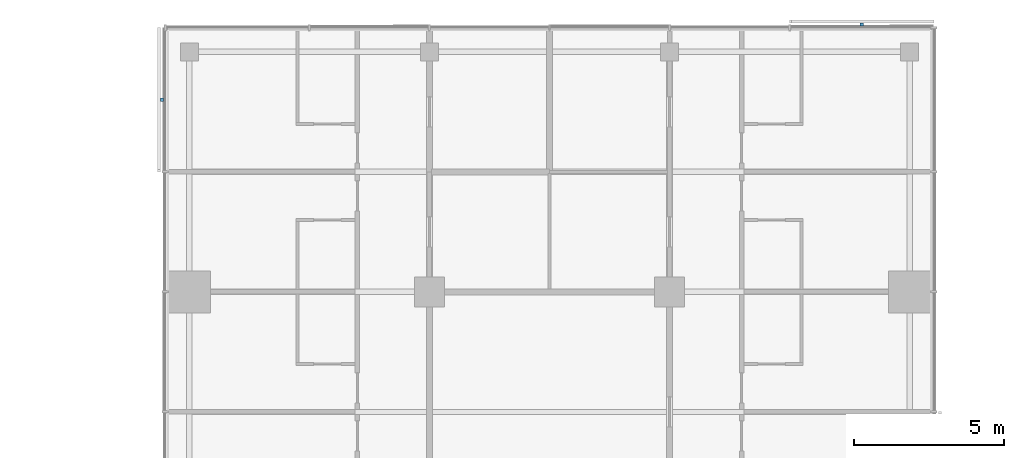
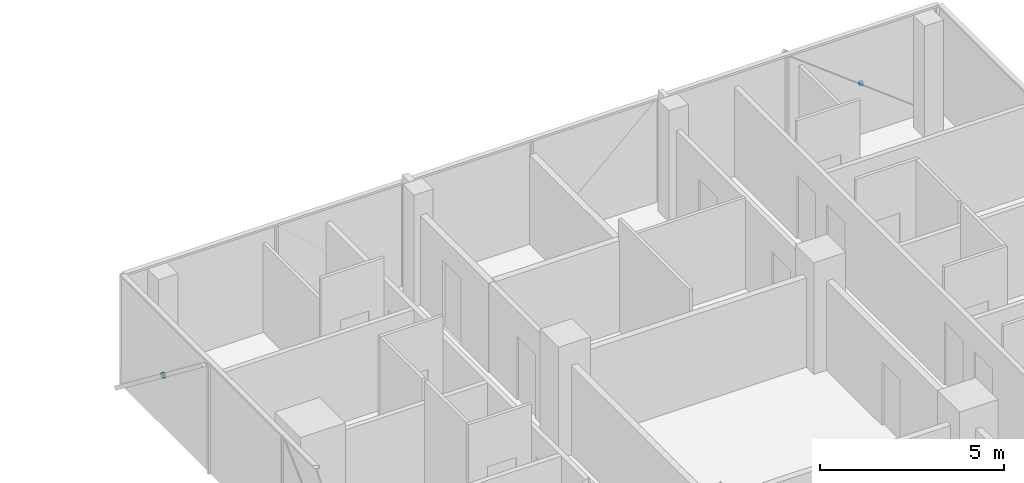
# One storey, part 28 of 29: 2 discrete accessories.
"""IFC4 building model written with IfcOpenShell, lengths in metres."""

from ifc_helpers import new_model, si_unit, direction, frame, origin, origin_2d, place, context, subcontext, project, spatial, rectangle, extrude, material, type_object, element, save


model = new_model("IFC4")

# Units and contexts
model_context = context("Model", 3, precision=1e-05, world=origin(), true_north=direction((0.0, 1.0)))
body_context = subcontext(model_context, "Body", "Model", "MODEL_VIEW")
ifc_project = project(units=[si_unit("LENGTHUNIT", "METRE"), si_unit("AREAUNIT", "SQUARE_METRE"), si_unit("VOLUMEUNIT", "CUBIC_METRE"), si_unit("PLANEANGLEUNIT", "RADIAN"), si_unit("MASSUNIT", "GRAM", prefix="KILO")], contexts=[model_context])

# Site, building, storey
site_placement = place(None, origin())
site = spatial("IfcSite", under=ifc_project, at=site_placement, CompositionType="ELEMENT")
building_placement = place(site_placement, origin())
building = spatial("IfcBuilding", under=site, at=building_placement, Name="Crosswind Convention Tower", CompositionType="ELEMENT")
storey_placement = place(building_placement, frame((0.0, 0.0, 60.89990234375)))
storey = spatial("IfcBuildingStorey", under=building, at=storey_placement, Name="L09", CompositionType="ELEMENT", Elevation=60.89990234375)

# Discrete accessories
ifc_material = material(Name="Stainless steel", Category="steel")
discrete_accessory_type = type_object("IfcDiscreteAccessoryType", Name="BAGUETTE BRACKET BK2", PredefinedType="BRACKET", material=ifc_material)
for number, where, z_axis, x_axis, name in (
    (1, (135.39990234375, 136.907958984375, 1.4775390625), (0.0, 0.0, 1.0), (-1.0, 0.0, 0.0), "BK2 baguette bracket"),
    (2, (112.092041015625, 134.39990234375, 1.4775390625), (0.0, 0.0, 1.0), (0.0, -1.0, 0.0), "BK2 baguette bracket"),
):
    element("IfcDiscreteAccessory", number, at=place(storey_placement, frame(where, z_axis=z_axis, x_axis=x_axis)), inside=storey, type_object=discrete_accessory_type, Name=name, PredefinedType="BRACKET", context=body_context, shape_type="SweptSolid", body=[
        extrude(rectangle(XDim=0.1201171875, YDim=0.10009765625, at=origin_2d()), origin(), (0.0, 0.0, 1.0), 0.1201171875),
    ])

save(model, "model.ifc")
